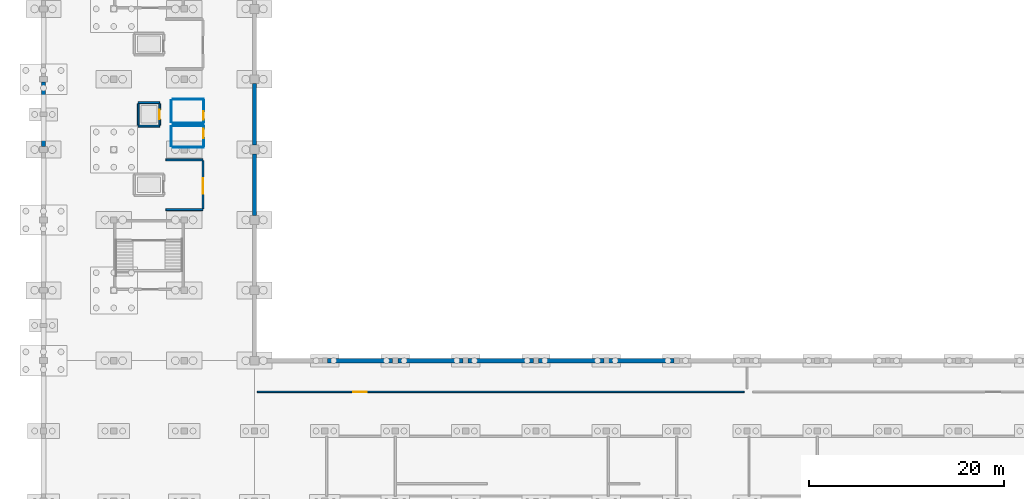
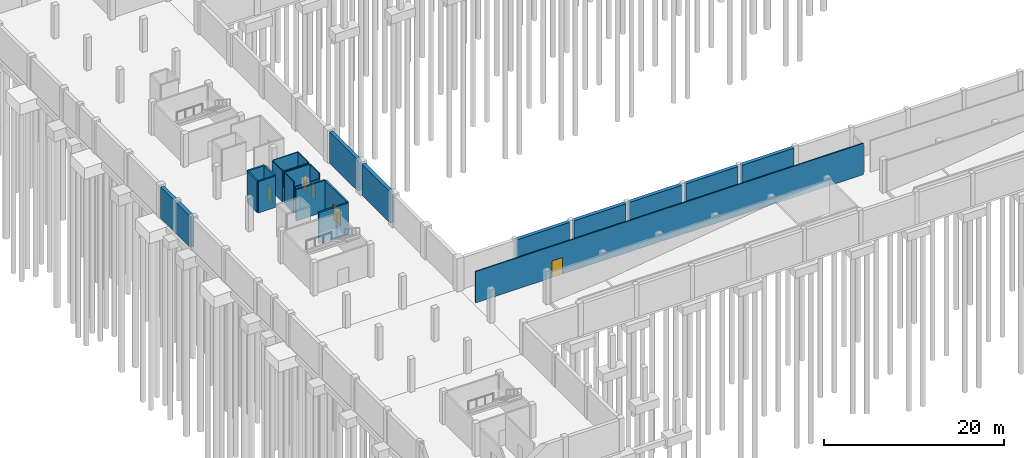
# One storey, part 10 of 18: 24 walls, 5 doors, 5 openings.
"""IFC4 building model written with IfcOpenShell, lengths in metres."""

from ifc_helpers import new_model, si_unit, direction, frame, frame_2d, origin, place, context, subcontext, project, spatial, rectangle, extrude, material, layer, layer_set, type_object, element, fill, save


model = new_model("IFC4")

# Units and contexts
model_context = context("Model", 3, precision=1e-05, world=origin(), true_north=direction((0.0, 1.0)))
body_context = subcontext(model_context, "Body", "Model", "MODEL_VIEW")
ifc_project = project(units=[si_unit("LENGTHUNIT", "METRE"), si_unit("AREAUNIT", "SQUARE_METRE"), si_unit("VOLUMEUNIT", "CUBIC_METRE"), si_unit("PLANEANGLEUNIT", "RADIAN"), si_unit("MASSUNIT", "GRAM", prefix="KILO")], contexts=[model_context])

# Site, building, storey
site_placement = place(None, origin())
site = spatial("IfcSite", under=ifc_project, at=site_placement, CompositionType="ELEMENT")
building_placement = place(site_placement, origin())
building = spatial("IfcBuilding", under=site, at=building_placement, Name="Kangsadwip Square Police Headquarters", CompositionType="ELEMENT")
storey_placement = place(building_placement, frame((0.0, 0.0, -4.5)))
storey = spatial("IfcBuildingStorey", under=building, at=storey_placement, Name="B1", CompositionType="ELEMENT", Elevation=-4.5)

# Walls
ifc_material_1 = material(Name="Concrete M40 (40 MPa)", Category="concrete")
ifc_layer_1 = layer(ifc_material_1, 0.449951171875)
ifc_layer_set_1 = layer_set([ifc_layer_1], Name="Concrete M40 (40 MPa)")
wall_type_1 = type_object("IfcWallType", Name="BasementRetainingWall450", PredefinedType="USERDEFINED", material=ifc_layer_set_1)
for number, where, z_axis, x_axis, name in (
    (1, (29.044921875, 36.0, 0.0), (0.0, 0.0, 1.0), (1.0, 0.0, 0.0), "Exterior Wall WE-B1-025"),
    (2, (36.27001953125, 36.0, 0.0), (0.0, 0.0, 1.0), (1.0, 0.0, 0.0), "Exterior Wall WE-B1-026"),
):
    element("IfcWall", number, at=place(storey_placement, frame(where, z_axis=z_axis, x_axis=x_axis)), inside=storey, type_object=wall_type_1, Name=name, ObjectType="RETAININGWALL", PredefinedType="USERDEFINED", context=body_context, shape_type="SweptSolid", body=[
        extrude(rectangle(XDim=6.68505859375, YDim=0.449951171875, at=frame_2d((3.342529296875, 0.0))), origin(), (0.0, 0.0, 1.0), 4.25),
    ])
wall_1_placement = place(storey_placement, frame((43.445068359375, 36.0, 0.0), z_axis=(0.0, 0.0, 1.0), x_axis=(1.0, 0.0, 0.0)))
element("IfcWall", 3, at=wall_1_placement, inside=storey, type_object=wall_type_1, Name="Exterior Wall WE-B1-027", ObjectType="RETAININGWALL", PredefinedType="USERDEFINED", context=body_context, shape_type="SweptSolid", body=[
    extrude(rectangle(XDim=6.684814453125, YDim=0.449951171875, at=frame_2d((3.34228515625, 0.0))), origin(), (0.0, 0.0, 1.0), 4.25),
])
for number, where, z_axis, x_axis, name in (
    (4, (50.669921875, 36.0, 0.0), (0.0, 0.0, 1.0), (1.0, 0.0, 0.0), "Exterior Wall WE-B1-028"),
    (5, (57.844970703125, 36.0, 0.0), (0.0, 0.0, 1.0), (1.0, 0.0, 0.0), "Exterior Wall WE-B1-029"),
):
    element("IfcWall", number, at=place(storey_placement, frame(where, z_axis=z_axis, x_axis=x_axis)), inside=storey, type_object=wall_type_1, Name=name, ObjectType="RETAININGWALL", PredefinedType="USERDEFINED", context=body_context, shape_type="SweptSolid", body=[
        extrude(rectangle(XDim=6.68505859375, YDim=0.449951171875, at=frame_2d((3.342529296875, 0.0))), origin(), (0.0, 0.0, 1.0), 4.25),
    ])
wall_2_placement = place(storey_placement, frame((0.0, 57.89501953125, 0.0), z_axis=(0.0, 0.0, 1.0), x_axis=(0.0, 1.0, 0.0)))
element("IfcWall", 6, at=wall_2_placement, inside=storey, type_object=wall_type_1, Name="Exterior Wall WE-B1-089", ObjectType="RETAININGWALL", PredefinedType="USERDEFINED", context=body_context, shape_type="SweptSolid", body=[
    extrude(rectangle(XDim=6.60986328125, YDim=0.449951171875, at=frame_2d((3.304931640625, 0.0))), origin(), (0.0, 0.0, 1.0), 4.25),
])
for number, where, z_axis, x_axis, name in (
    (7, (21.60009765625, 50.844970703125, 0.0), (0.0, 0.0, 1.0), (0.0, 1.0, 0.0), "Exterior Wall WE-B1-101"),
    (8, (21.60009765625, 58.044921875, 0.0), (0.0, 0.0, 1.0), (0.0, 1.0, 0.0), "Exterior Wall WE-B1-102"),
):
    element("IfcWall", number, at=place(storey_placement, frame(where, z_axis=z_axis, x_axis=x_axis)), inside=storey, type_object=wall_type_1, Name=name, ObjectType="RETAININGWALL", PredefinedType="USERDEFINED", context=body_context, shape_type="SweptSolid", body=[
        extrude(rectangle(XDim=6.31005859375, YDim=0.449951171875, at=frame_2d((3.155029296875, 0.0))), origin(), (0.0, 0.0, 1.0), 4.25),
    ])

# Wall, opening, door
ifc_material_2 = material(Name="Autoclaved aerated concrete blockwork masonry", Category="masonry")
ifc_layer_2 = layer(ifc_material_2, 0.14990234375)
ifc_layer_set_2 = layer_set([ifc_layer_2], Name="Autoclaved aerated concrete blockwork masonry")
wall_type_2 = type_object("IfcWallType", Name="BlockPartition150", PredefinedType="PARTITIONING", material=ifc_layer_set_2)
wall_3_placement = place(storey_placement, frame((21.89990234375, 32.800048828125, 0.0), z_axis=(0.0, 0.0, 1.0), x_axis=(1.0, 0.0, 0.0)))
wall_3 = element("IfcWall", 9, at=wall_3_placement, inside=storey, type_object=wall_type_2, Name="Interior Wall WI-B1-0655", PredefinedType="PARTITIONING", context=body_context, shape_type="SweptSolid", body=[
    extrude(rectangle(XDim=49.800048828125, YDim=0.14990234375, at=frame_2d((24.89990234375, 0.0))), origin(), (0.0, 0.0, 1.0), 4.25),
])
opening_1_placement = place(wall_3_placement, frame((9.780029296875, 0.0, 0.0)))
opening_1 = element("IfcOpeningElement", 10, at=opening_1_placement, cuts=wall_3, Name="Opening FD-14", PredefinedType="OPENING", context=body_context, shape_type="SweptSolid", body=[
    extrude(rectangle(XDim=1.39990234375, YDim=2.25, at=frame_2d((0.699951171875, 1.125))), frame((0.0, 0.0849609375, 0.0), z_axis=(0.0, -1.0, 0.0), x_axis=(1.0, 0.0, 0.0)), (0.0, 0.0, 1.0), 0.169921875),
])
ifc_material_3 = material(Name="Insulated galvanized steel fire-rated door assembly", Category="steel")
door_type_1 = type_object("IfcDoorType", Name="PlantRoomDoor1400x2250", OperationType="DOUBLE_DOOR_SINGLE_SWING", PredefinedType="DOOR", material=ifc_material_3)
door_1_placement = place(opening_1_placement, origin())
door_1 = element("IfcDoor", 11, at=door_1_placement, inside=storey, type_object=door_type_1, Name="Interior Door ID-B1-0123", OperationType="DOUBLE_DOOR_SINGLE_SWING", OverallHeight=2.25, OverallWidth=1.39990234375, PredefinedType="DOOR", context=body_context, shape_type="SweptSolid", body=[
    extrude(rectangle(XDim=1.39990234375, YDim=2.25, at=frame_2d((0.699951171875, 1.125))), frame((0.0, 0.02490234375, 0.0), z_axis=(0.0, -1.0, 0.0), x_axis=(1.0, 0.0, 0.0)), (0.0, 0.0, 1.0), 0.050048828125),
])
fill(opening_1, door_1)

# Walls
ifc_material_4 = material(Name="Concrete M40 (40 MPa)", Category="concrete")
ifc_layer_3 = layer(ifc_material_4, 0.199951171875)
ifc_layer_set_3 = layer_set([ifc_layer_3], Name="Concrete M40 (40 MPa)")
wall_type_3 = type_object("IfcWallType", Name="CoreShearWall200", PredefinedType="SHEAR", material=ifc_layer_set_3)
for number, where, z_axis, x_axis, name in (
    (12, (9.699951171875, 60.0, 0.0), (0.0, 0.0, 1.0), (1.0, 0.0, 0.0), "Interior Wall WI-B1-0347"),
    (13, (9.699951171875, 62.39990234375, 0.0), (0.0, 0.0, 1.0), (1.0, 0.0, 0.0), "Interior Wall WI-B1-0348"),
    (14, (9.699951171875, 60.10009765625, 0.0), (0.0, 0.0, 1.0), (0.0, 1.0, 0.0), "Interior Wall WI-B1-0349"),
):
    element("IfcWall", number, at=place(storey_placement, frame(where, z_axis=z_axis, x_axis=x_axis)), inside=storey, type_object=wall_type_3, Name=name, PredefinedType="SHEAR", context=body_context, shape_type="SweptSolid", body=[
        extrude(rectangle(XDim=2.199951171875, YDim=0.199951171875, at=frame_2d((1.10009765625, 0.0))), origin(), (0.0, 0.0, 1.0), 4.25),
    ])

# Wall, opening, door
wall_4_placement = place(storey_placement, frame((11.89990234375, 60.10009765625, 0.0), z_axis=(0.0, 0.0, 1.0), x_axis=(0.0, 1.0, 0.0)))
wall_4 = element("IfcWall", 15, at=wall_4_placement, inside=storey, type_object=wall_type_3, Name="Interior Wall WI-B1-0350", PredefinedType="SHEAR", context=body_context, shape_type="SweptSolid", body=[
    extrude(rectangle(XDim=2.199951171875, YDim=0.199951171875, at=frame_2d((1.10009765625, 0.0))), origin(), (0.0, 0.0, 1.0), 4.25),
])
opening_2_placement = place(wall_4_placement, frame((0.60009765625, 0.0, 0.0)))
opening_2 = element("IfcOpeningElement", 16, at=opening_2_placement, cuts=wall_4, Name="Opening LD-027", PredefinedType="OPENING", context=body_context, shape_type="SweptSolid", body=[
    extrude(rectangle(XDim=1.0, YDim=2.10009765625, at=frame_2d((0.5, 1.050048828125))), frame((0.0, 0.10986328125, 0.0), z_axis=(0.0, -1.0, 0.0), x_axis=(1.0, 0.0, 0.0)), (0.0, 0.0, 1.0), 0.219970703125),
])
ifc_material_5 = material(Name="Brushed stainless steel automatic sliding lift landing door", Category="steel")
door_type_2 = type_object("IfcDoorType", Name="LiftLandingDoor1000x2100", OperationType="DOUBLE_DOOR_SLIDING", PredefinedType="DOOR", material=ifc_material_5)
door_2_placement = place(opening_2_placement, origin())
door_2 = element("IfcDoor", 17, at=door_2_placement, inside=storey, type_object=door_type_2, Name="Interior Door LD-027", OperationType="DOUBLE_DOOR_SLIDING", OverallHeight=2.10009765625, OverallWidth=1.0, PredefinedType="DOOR", context=body_context, shape_type="SweptSolid", body=[
    extrude(rectangle(XDim=1.0, YDim=2.10009765625, at=frame_2d((0.5, 1.050048828125))), frame((0.0, 0.02490234375, 0.0), z_axis=(0.0, -1.0, 0.0), x_axis=(1.0, 0.0, 0.0)), (0.0, 0.0, 1.0), 0.050048828125),
])
fill(opening_2, door_2)

ifc_material_6 = material(Name="Concrete M40 (40 MPa)", Category="concrete")
ifc_layer_4 = layer(ifc_material_6, 0.199951171875)
ifc_layer_set_4 = layer_set([ifc_layer_4], Name="Concrete M40 (40 MPa)")
wall_type_4 = type_object("IfcWallType", Name="CustodySecurityWall200", PredefinedType="SOLIDWALL", material=ifc_layer_set_4)
wall_5_placement = place(storey_placement, frame((16.320068359375, 51.530029296875, 0.0), z_axis=(0.0, 0.0, 1.0), x_axis=(0.0, 1.0, 0.0)))
wall_5 = element("IfcWall", 18, at=wall_5_placement, inside=storey, type_object=wall_type_4, Name="Interior Wall WI-B1-0635", PredefinedType="SOLIDWALL", context=body_context, shape_type="SweptSolid", body=[
    extrude(rectangle(XDim=4.93994140625, YDim=0.199951171875, at=frame_2d((2.469970703125, 0.0))), origin(), (0.0, 0.0, 1.0), 4.25),
])
opening_3_placement = place(wall_5_placement, frame((1.541015625, 0.0, 0.0)))
opening_3 = element("IfcOpeningElement", 19, at=opening_3_placement, cuts=wall_5, Name="Opening FD-16", PredefinedType="OPENING", context=body_context, shape_type="SweptSolid", body=[
    extrude(rectangle(XDim=1.60009765625, YDim=2.199951171875, at=frame_2d((0.800048828125, 1.10009765625))), frame((0.0, 0.10986328125, 0.0), z_axis=(0.0, -1.0, 0.0), x_axis=(1.0, 0.0, 0.0)), (0.0, 0.0, 1.0), 0.219970703125),
])
ifc_material_7 = material(Name="Insulated galvanized steel fire-rated door assembly", Category="steel")
door_type_3 = type_object("IfcDoorType", Name="FfLobbyFireDoor1600x2200", OperationType="DOUBLE_DOOR_SINGLE_SWING", PredefinedType="DOOR", material=ifc_material_7)
door_3_placement = place(opening_3_placement, origin())
door_3 = element("IfcDoor", 20, at=door_3_placement, inside=storey, type_object=door_type_3, Name="Interior Door ID-B1-0116", OperationType="DOUBLE_DOOR_SINGLE_SWING", OverallHeight=2.199951171875, OverallWidth=1.60009765625, PredefinedType="DOOR", context=body_context, shape_type="SweptSolid", body=[
    extrude(rectangle(XDim=1.60009765625, YDim=2.199951171875, at=frame_2d((0.800048828125, 1.10009765625))), frame((0.0, 0.02490234375, 0.0), z_axis=(0.0, -1.0, 0.0), x_axis=(1.0, 0.0, 0.0)), (0.0, 0.0, 1.0), 0.050048828125),
])
fill(opening_3, door_3)

# Walls
for number, where, z_axis, x_axis, name in (
    (21, (12.5400390625, 51.449951171875, 0.0), (0.0, 0.0, 1.0), (1.0, 0.0, 0.0), "Interior Wall WI-B1-0636"),
    (22, (12.5400390625, 56.550048828125, 0.0), (0.0, 0.0, 1.0), (1.0, 0.0, 0.0), "Interior Wall WI-B1-0637"),
):
    element("IfcWall", number, at=place(storey_placement, frame(where, z_axis=z_axis, x_axis=x_axis)), inside=storey, type_object=wall_type_4, Name=name, PredefinedType="SOLIDWALL", context=body_context, shape_type="SweptSolid", body=[
        extrude(rectangle(XDim=3.780029296875, YDim=0.199951171875, at=frame_2d((1.89013671875, 0.0))), origin(), (0.0, 0.0, 1.0), 4.25),
    ])

# Wall, opening, door
ifc_material_8 = material(Name="Autoclaved aerated concrete blockwork masonry", Category="masonry")
ifc_layer_5 = layer(ifc_material_8, 0.10009765625)
ifc_layer_set_5 = layer_set([ifc_layer_5], Name="Autoclaved aerated concrete blockwork masonry")
wall_type_5 = type_object("IfcWallType", Name="WetWallPartition100", PredefinedType="PARTITIONING", material=ifc_layer_set_5)
wall_6_placement = place(storey_placement, frame((16.39990234375, 57.929931640625, 0.0), z_axis=(0.0, 0.0, 1.0), x_axis=(0.0, 1.0, 0.0)))
wall_6 = element("IfcWall", 23, at=wall_6_placement, inside=storey, type_object=wall_type_5, Name="Interior Wall WI-B1-0644", PredefinedType="PARTITIONING", context=body_context, shape_type="SweptSolid", body=[
    extrude(rectangle(XDim=2.0400390625, YDim=0.10009765625, at=frame_2d((1.02001953125, 0.0))), origin(), (0.0, 0.0, 1.0), 4.25),
])
opening_4_placement = place(wall_6_placement, frame((0.840087890625, 0.0, 0.0)))
opening_4 = element("IfcOpeningElement", 24, at=opening_4_placement, cuts=wall_6, Name="Opening WD-09A", PredefinedType="OPENING", context=body_context, shape_type="SweptSolid", body=[
    extrude(rectangle(XDim=0.949951171875, YDim=2.10009765625, at=frame_2d((0.47509765625, 1.050048828125))), frame((0.0, 0.06005859375, 0.0), z_axis=(0.0, -1.0, 0.0), x_axis=(1.0, 0.0, 0.0)), (0.0, 0.0, 1.0), 0.1201171875),
])
ifc_material_9 = material(Name="Solid-core seasoned teak hardwood architectural door", Category="wood")
door_type_4 = type_object("IfcDoorType", Name="AccessibleWcDoor950x2100", OperationType="NOTDEFINED", PredefinedType="DOOR", material=ifc_material_9)
door_4_placement = place(opening_4_placement, origin())
door_4 = element("IfcDoor", 25, at=door_4_placement, inside=storey, type_object=door_type_4, Name="Interior Door ID-B1-0119", OperationType="SINGLE_SWING_RIGHT", OverallHeight=2.10009765625, OverallWidth=0.949951171875, PredefinedType="DOOR", context=body_context, shape_type="SweptSolid", body=[
    extrude(rectangle(XDim=0.949951171875, YDim=2.10009765625, at=frame_2d((0.47509765625, 1.050048828125))), frame((0.0, 0.02490234375, 0.0), z_axis=(0.0, -1.0, 0.0), x_axis=(1.0, 0.0, 0.0)), (0.0, 0.0, 1.0), 0.050048828125),
])
fill(opening_4, door_4)

# Walls
wall_7_placement = place(storey_placement, frame((13.219970703125, 57.85009765625, 0.0), z_axis=(0.0, 0.0, 1.0), x_axis=(1.0, 0.0, 0.0)))
element("IfcWall", 26, at=wall_7_placement, inside=storey, type_object=wall_type_5, Name="Interior Wall WI-B1-0645", PredefinedType="PARTITIONING", context=body_context, shape_type="SweptSolid", body=[
    extrude(rectangle(XDim=3.179931640625, YDim=0.10009765625, at=frame_2d((1.58984375, 0.0))), origin(), (0.0, 0.0, 1.0), 3.590087890625),
])
wall_8_placement = place(storey_placement, frame((13.219970703125, 60.050048828125, 0.0), z_axis=(0.0, 0.0, 1.0), x_axis=(1.0, 0.0, 0.0)))
element("IfcWall", 27, at=wall_8_placement, inside=storey, type_object=wall_type_5, Name="Interior Wall WI-B1-0646", PredefinedType="PARTITIONING", context=body_context, shape_type="SweptSolid", body=[
    extrude(rectangle(XDim=3.179931640625, YDim=0.10009765625, at=frame_2d((1.58984375, 0.0))), origin(), (0.0, 0.0, 1.0), 4.25),
])
wall_9_placement = place(storey_placement, frame((13.10009765625, 57.929931640625, 0.0), z_axis=(0.0, 0.0, 1.0), x_axis=(0.0, 1.0, 0.0)))
element("IfcWall", 28, at=wall_9_placement, inside=storey, type_object=wall_type_5, Name="Interior Wall WI-B1-0647", PredefinedType="PARTITIONING", context=body_context, shape_type="SweptSolid", body=[
    extrude(rectangle(XDim=2.0400390625, YDim=0.10009765625, at=frame_2d((1.02001953125, 0.0))), origin(), (0.0, 0.0, 1.0), 4.25),
])

# Wall, opening, door
wall_10_placement = place(storey_placement, frame((16.39990234375, 60.3798828125, 0.0), z_axis=(0.0, 0.0, 1.0), x_axis=(0.0, 1.0, 0.0)))
wall_10 = element("IfcWall", 29, at=wall_10_placement, inside=storey, type_object=wall_type_5, Name="Interior Wall WI-B1-0648", PredefinedType="PARTITIONING", context=body_context, shape_type="SweptSolid", body=[
    extrude(rectangle(XDim=2.2900390625, YDim=0.10009765625, at=frame_2d((1.14501953125, 0.0))), origin(), (0.0, 0.0, 1.0), 4.25),
])
opening_5_placement = place(wall_10_placement, frame((0.25, 0.0, 0.0)))
opening_5 = element("IfcOpeningElement", 30, at=opening_5_placement, cuts=wall_10, Name="Opening WD-09B", PredefinedType="OPENING", context=body_context, shape_type="SweptSolid", body=[
    extrude(rectangle(XDim=0.89990234375, YDim=2.10009765625, at=frame_2d((0.449951171875, 1.050048828125))), frame((0.0, 0.06005859375, 0.0), z_axis=(0.0, -1.0, 0.0), x_axis=(1.0, 0.0, 0.0)), (0.0, 0.0, 1.0), 0.1201171875),
])
ifc_material_10 = material(Name="Solid-core seasoned teak hardwood architectural door", Category="wood")
door_type_5 = type_object("IfcDoorType", Name="ToiletRoomDoor900x2100", OperationType="NOTDEFINED", PredefinedType="DOOR", material=ifc_material_10)
door_5_placement = place(opening_5_placement, origin())
door_5 = element("IfcDoor", 31, at=door_5_placement, inside=storey, type_object=door_type_5, Name="Interior Door ID-B1-0120", OperationType="SINGLE_SWING_LEFT", OverallHeight=2.10009765625, OverallWidth=0.89990234375, PredefinedType="DOOR", context=body_context, shape_type="SweptSolid", body=[
    extrude(rectangle(XDim=0.89990234375, YDim=2.10009765625, at=frame_2d((0.449951171875, 1.050048828125))), frame((0.0, 0.02490234375, 0.0), z_axis=(0.0, -1.0, 0.0), x_axis=(1.0, 0.0, 0.0)), (0.0, 0.0, 1.0), 0.050048828125),
])
fill(opening_5, door_5)

# Walls
for number, where, z_axis, x_axis, name in (
    (32, (13.219970703125, 60.300048828125, 0.0), (0.0, 0.0, 1.0), (1.0, 0.0, 0.0), "Interior Wall WI-B1-0649"),
    (33, (13.219970703125, 62.75, 0.0), (0.0, 0.0, 1.0), (1.0, 0.0, 0.0), "Interior Wall WI-B1-0650"),
):
    element("IfcWall", number, at=place(storey_placement, frame(where, z_axis=z_axis, x_axis=x_axis)), inside=storey, type_object=wall_type_5, Name=name, PredefinedType="PARTITIONING", context=body_context, shape_type="SweptSolid", body=[
        extrude(rectangle(XDim=3.179931640625, YDim=0.10009765625, at=frame_2d((1.58984375, 0.0))), origin(), (0.0, 0.0, 1.0), 4.25),
    ])
wall_11_placement = place(storey_placement, frame((13.10009765625, 60.3798828125, 0.0), z_axis=(0.0, 0.0, 1.0), x_axis=(0.0, 1.0, 0.0)))
element("IfcWall", 34, at=wall_11_placement, inside=storey, type_object=wall_type_5, Name="Interior Wall WI-B1-0651", PredefinedType="PARTITIONING", context=body_context, shape_type="SweptSolid", body=[
    extrude(rectangle(XDim=2.2900390625, YDim=0.10009765625, at=frame_2d((1.14501953125, 0.0))), origin(), (0.0, 0.0, 1.0), 4.25),
])

save(model, "model.ifc")
